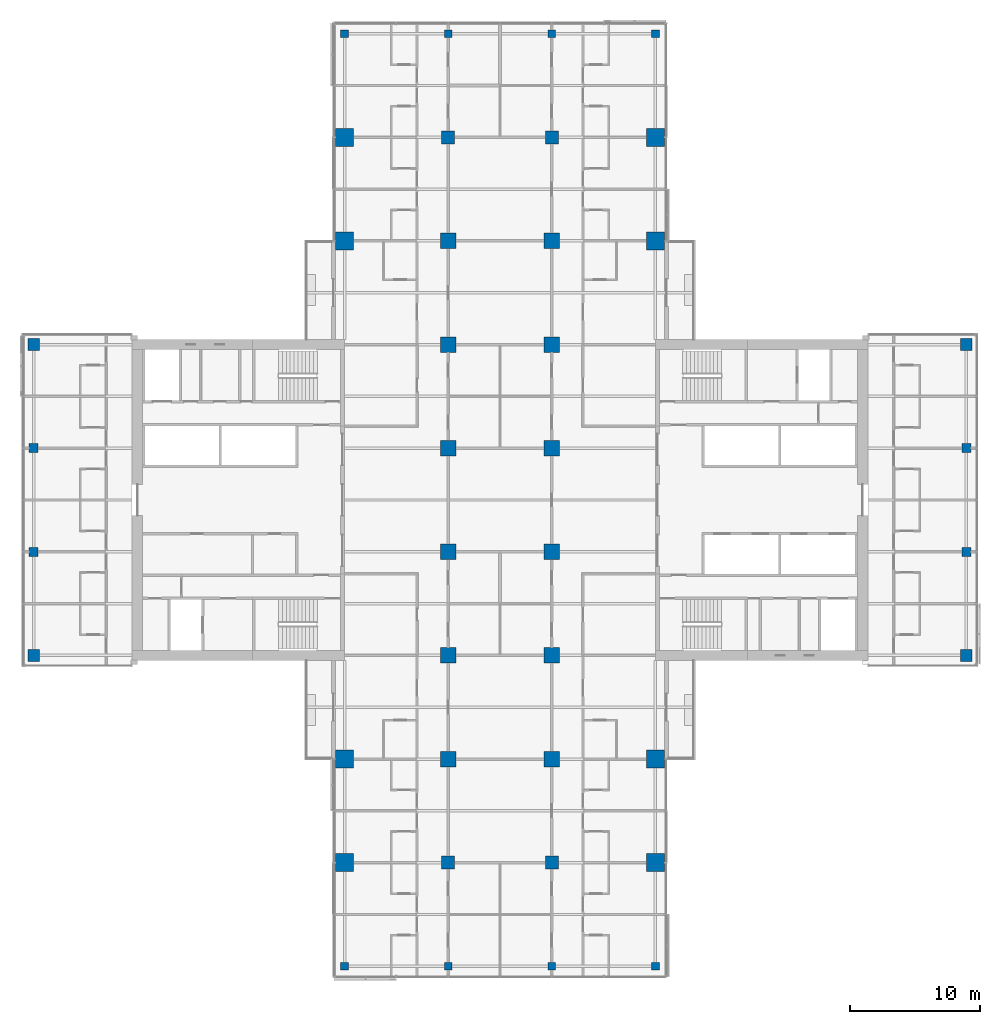
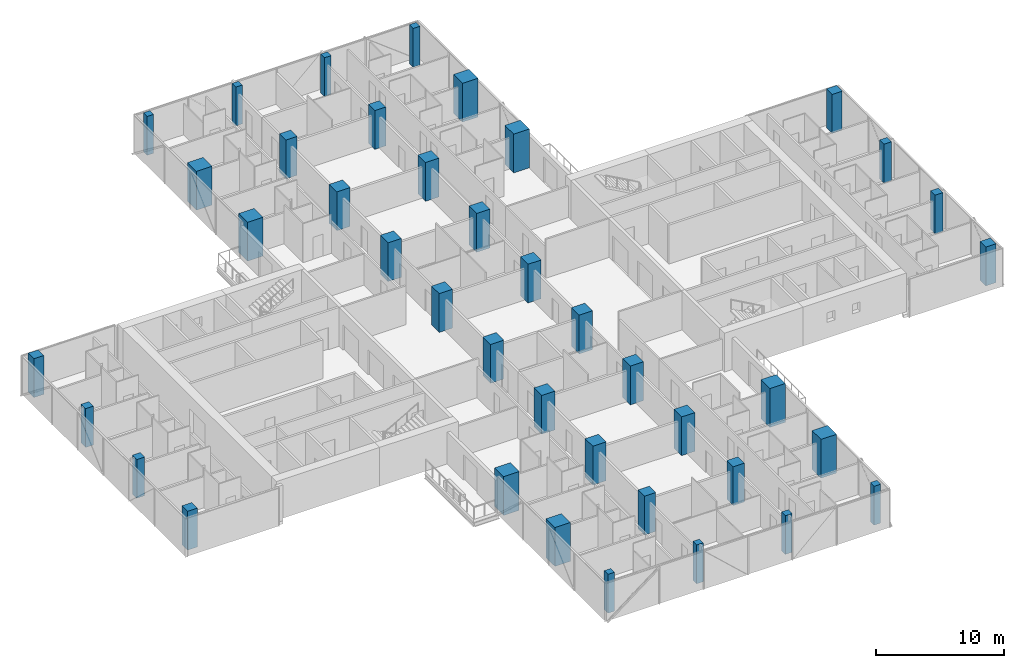
# One storey, part 1 of 29: 40 columns.
"""IFC4 building model written with IfcOpenShell, lengths in metres."""

from ifc_helpers import new_model, si_unit, direction, frame, origin, origin_2d, place, context, subcontext, project, spatial, rectangle, extrude, material, material_profile, profile_set, type_object, element, save


model = new_model("IFC4")

# Units and contexts
model_context = context("Model", 3, precision=1e-05, world=origin(), true_north=direction((0.0, 1.0)))
body_context = subcontext(model_context, "Body", "Model", "MODEL_VIEW")
ifc_project = project(units=[si_unit("LENGTHUNIT", "METRE"), si_unit("AREAUNIT", "SQUARE_METRE"), si_unit("VOLUMEUNIT", "CUBIC_METRE"), si_unit("PLANEANGLEUNIT", "RADIAN"), si_unit("MASSUNIT", "GRAM", prefix="KILO")], contexts=[model_context])

# Site, building, storey
site_placement = place(None, origin())
site = spatial("IfcSite", under=ifc_project, at=site_placement, CompositionType="ELEMENT")
building_placement = place(site_placement, origin())
building = spatial("IfcBuilding", under=site, at=building_placement, Name="Crosswind Convention Tower", CompositionType="ELEMENT")
storey_placement = place(building_placement, frame((0.0, 0.0, 53.5)))
storey = spatial("IfcBuildingStorey", under=building, at=storey_placement, Name="L07", CompositionType="ELEMENT", Elevation=53.5)

# Columns
ifc_material_1 = material(Name="Concrete C70/85", Category="concrete")
ifc_material_profile_1 = material_profile(ifc_material_1, rectangle(XDim=1.0, YDim=1.0, at=origin_2d()), Name="RC 1000X1000")
ifc_profile_set_1 = profile_set([ifc_material_profile_1], Name="Concrete C70/85")
column_type_1 = type_object("IfcColumnType", Name="Column RC 1000X1000", PredefinedType="COLUMN", material=ifc_profile_set_1)
for number, where, z_axis, x_axis, name in (
    (1, (121.0, 72.0, 0.0), (0.0, 0.0, 1.0), (1.0, 0.0, 0.0), "C12 L07 6/C"),
    (2, (121.0, 128.0, 0.0), (0.0, 0.0, 1.0), (1.0, 0.0, 0.0), "C12 L07 6/J"),
    (3, (129.0, 72.0, 0.0), (0.0, 0.0, 1.0), (1.0, 0.0, 0.0), "C12 L07 7/C"),
    (4, (129.0, 128.0, 0.0), (0.0, 0.0, 1.0), (1.0, 0.0, 0.0), "C12 L07 7/J"),
):
    element("IfcColumn", number, at=place(storey_placement, frame(where, z_axis=z_axis, x_axis=x_axis)), inside=storey, type_object=column_type_1, Name=name, PredefinedType="COLUMN", context=body_context, shape_type="SweptSolid", body=[
        extrude(rectangle(XDim=1.0, YDim=1.0, at=origin_2d()), origin(), (0.0, 0.0, 1.0), 3.699951171875),
    ])
ifc_material_profile_2 = material_profile(ifc_material_1, rectangle(XDim=1.199951171875, YDim=1.199951171875, at=origin_2d()), Name="RC 1200X1200")
ifc_profile_set_2 = profile_set([ifc_material_profile_2], Name="Concrete C70/85")
column_type_2 = type_object("IfcColumnType", Name="Column RC 1200X1200", PredefinedType="COLUMN", material=ifc_profile_set_2)
for number, where, z_axis, x_axis, name in (
    (5, (121.0, 80.0, 0.0), (0.0, 0.0, 1.0), (1.0, 0.0, 0.0), "C11 L07 6/D"),
    (6, (121.0, 88.0, 0.0), (0.0, 0.0, 1.0), (1.0, 0.0, 0.0), "C11 L07 6/E"),
    (7, (121.0, 96.0, 0.0), (0.0, 0.0, 1.0), (1.0, 0.0, 0.0), "C11 L07 6/F"),
    (8, (121.0, 104.0, 0.0), (0.0, 0.0, 1.0), (1.0, 0.0, 0.0), "C11 L07 6/G"),
    (9, (121.0, 112.0, 0.0), (0.0, 0.0, 1.0), (1.0, 0.0, 0.0), "C11 L07 6/H"),
    (10, (121.0, 120.0, 0.0), (0.0, 0.0, 1.0), (1.0, 0.0, 0.0), "C11 L07 6/I"),
    (11, (129.0, 80.0, 0.0), (0.0, 0.0, 1.0), (1.0, 0.0, 0.0), "C11 L07 7/D"),
    (12, (129.0, 88.0, 0.0), (0.0, 0.0, 1.0), (1.0, 0.0, 0.0), "C11 L07 7/E"),
    (13, (129.0, 96.0, 0.0), (0.0, 0.0, 1.0), (1.0, 0.0, 0.0), "C11 L07 7/F"),
    (14, (129.0, 104.0, 0.0), (0.0, 0.0, 1.0), (1.0, 0.0, 0.0), "C11 L07 7/G"),
    (15, (129.0, 112.0, 0.0), (0.0, 0.0, 1.0), (1.0, 0.0, 0.0), "C11 L07 7/H"),
    (16, (129.0, 120.0, 0.0), (0.0, 0.0, 1.0), (1.0, 0.0, 0.0), "C11 L07 7/I"),
):
    element("IfcColumn", number, at=place(storey_placement, frame(where, z_axis=z_axis, x_axis=x_axis)), inside=storey, type_object=column_type_2, Name=name, PredefinedType="COLUMN", context=body_context, shape_type="SweptSolid", body=[
        extrude(rectangle(XDim=1.199951171875, YDim=1.199951171875, at=origin_2d()), origin(), (0.0, 0.0, 1.0), 3.699951171875),
    ])
ifc_material_2 = material(Name="Concrete C80/95", Category="concrete")
ifc_material_profile_3 = material_profile(ifc_material_2, rectangle(XDim=1.39990234375, YDim=1.39990234375, at=origin_2d()), Name="RC 1400X1400")
ifc_profile_set_3 = profile_set([ifc_material_profile_3], Name="Concrete C80/95")
column_type_3 = type_object("IfcColumnType", Name="Column RC 1400X1400", PredefinedType="COLUMN", material=ifc_profile_set_3)
for number, where, z_axis, x_axis, name in (
    (17, (113.0, 72.0, 0.0), (0.0, 0.0, 1.0), (1.0, 0.0, 0.0), "C10 L07 5/C"),
    (18, (113.0, 80.0, 0.0), (0.0, 0.0, 1.0), (1.0, 0.0, 0.0), "C10 L07 5/D"),
    (19, (113.0, 120.0, 0.0), (0.0, 0.0, 1.0), (1.0, 0.0, 0.0), "C10 L07 5/I"),
    (20, (113.0, 128.0, 0.0), (0.0, 0.0, 1.0), (1.0, 0.0, 0.0), "C10 L07 5/J"),
    (21, (137.0, 72.0, 0.0), (0.0, 0.0, 1.0), (1.0, 0.0, 0.0), "C10 L07 8/C"),
    (22, (137.0, 80.0, 0.0), (0.0, 0.0, 1.0), (1.0, 0.0, 0.0), "C10 L07 8/D"),
    (23, (137.0, 120.0, 0.0), (0.0, 0.0, 1.0), (1.0, 0.0, 0.0), "C10 L07 8/I"),
    (24, (137.0, 128.0, 0.0), (0.0, 0.0, 1.0), (1.0, 0.0, 0.0), "C10 L07 8/J"),
):
    element("IfcColumn", number, at=place(storey_placement, frame(where, z_axis=z_axis, x_axis=x_axis)), inside=storey, type_object=column_type_3, Name=name, PredefinedType="COLUMN", context=body_context, shape_type="SweptSolid", body=[
        extrude(rectangle(XDim=1.39990234375, YDim=1.39990234375, at=origin_2d()), origin(), (0.0, 0.0, 1.0), 3.699951171875),
    ])
ifc_material_3 = material(Name="Concrete C60/75", Category="concrete")
ifc_material_profile_4 = material_profile(ifc_material_3, rectangle(XDim=0.60009765625, YDim=0.60009765625, at=origin_2d()), Name="RC 600X600")
ifc_profile_set_4 = profile_set([ifc_material_profile_4], Name="Concrete C60/75")
column_type_4 = type_object("IfcColumnType", Name="Column RC 600X600", PredefinedType="COLUMN", material=ifc_profile_set_4)
for number, where, z_axis, x_axis, name in (
    (25, (113.0, 64.0, 0.0), (0.0, 0.0, 1.0), (1.0, 0.0, 0.0), "C16 L07 5/B"),
    (26, (113.0, 136.0, 0.0), (0.0, 0.0, 1.0), (1.0, 0.0, 0.0), "C16 L07 5/K"),
    (27, (121.0, 64.0, 0.0), (0.0, 0.0, 1.0), (1.0, 0.0, 0.0), "C16 L07 6/B"),
    (28, (121.0, 136.0, 0.0), (0.0, 0.0, 1.0), (1.0, 0.0, 0.0), "C16 L07 6/K"),
    (29, (129.0, 64.0, 0.0), (0.0, 0.0, 1.0), (1.0, 0.0, 0.0), "C16 L07 7/B"),
    (30, (129.0, 136.0, 0.0), (0.0, 0.0, 1.0), (1.0, 0.0, 0.0), "C16 L07 7/K"),
    (31, (137.0, 64.0, 0.0), (0.0, 0.0, 1.0), (1.0, 0.0, 0.0), "C16 L07 8/B"),
    (32, (137.0, 136.0, 0.0), (0.0, 0.0, 1.0), (1.0, 0.0, 0.0), "C16 L07 8/K"),
):
    element("IfcColumn", number, at=place(storey_placement, frame(where, z_axis=z_axis, x_axis=x_axis)), inside=storey, type_object=column_type_4, Name=name, PredefinedType="COLUMN", context=body_context, shape_type="SweptSolid", body=[
        extrude(rectangle(XDim=0.60009765625, YDim=0.60009765625, at=origin_2d()), origin(), (0.0, 0.0, 1.0), 3.699951171875),
    ])
ifc_material_profile_5 = material_profile(ifc_material_3, rectangle(XDim=0.699951171875, YDim=0.699951171875, at=origin_2d()), Name="RC 700X700")
ifc_profile_set_5 = profile_set([ifc_material_profile_5], Name="Concrete C60/75")
column_type_5 = type_object("IfcColumnType", Name="Column RC 700X700", PredefinedType="COLUMN", material=ifc_profile_set_5)
for number, where, z_axis, x_axis, name in (
    (33, (89.0, 96.0, 0.0), (0.0, 0.0, 1.0), (1.0, 0.0, 0.0), "C15 L07 2/F"),
    (34, (89.0, 104.0, 0.0), (0.0, 0.0, 1.0), (1.0, 0.0, 0.0), "C15 L07 2/G"),
    (35, (161.0, 96.0, 0.0), (0.0, 0.0, 1.0), (1.0, 0.0, 0.0), "C15 L07 11/F"),
    (36, (161.0, 104.0, 0.0), (0.0, 0.0, 1.0), (1.0, 0.0, 0.0), "C15 L07 11/G"),
):
    element("IfcColumn", number, at=place(storey_placement, frame(where, z_axis=z_axis, x_axis=x_axis)), inside=storey, type_object=column_type_5, Name=name, PredefinedType="COLUMN", context=body_context, shape_type="SweptSolid", body=[
        extrude(rectangle(XDim=0.699951171875, YDim=0.699951171875, at=origin_2d()), origin(), (0.0, 0.0, 1.0), 3.699951171875),
    ])
ifc_material_profile_6 = material_profile(ifc_material_3, rectangle(XDim=0.89990234375, YDim=0.89990234375, at=origin_2d()), Name="RC 900X900")
ifc_profile_set_6 = profile_set([ifc_material_profile_6], Name="Concrete C60/75")
column_type_6 = type_object("IfcColumnType", Name="Column RC 900X900", PredefinedType="COLUMN", material=ifc_profile_set_6)
for number, where, z_axis, x_axis, name in (
    (37, (89.0, 88.0, 0.0), (0.0, 0.0, 1.0), (1.0, 0.0, 0.0), "C13 L07 2/E"),
    (38, (89.0, 112.0, 0.0), (0.0, 0.0, 1.0), (1.0, 0.0, 0.0), "C13 L07 2/H"),
    (39, (161.0, 88.0, 0.0), (0.0, 0.0, 1.0), (1.0, 0.0, 0.0), "C13 L07 11/E"),
    (40, (161.0, 112.0, 0.0), (0.0, 0.0, 1.0), (1.0, 0.0, 0.0), "C13 L07 11/H"),
):
    element("IfcColumn", number, at=place(storey_placement, frame(where, z_axis=z_axis, x_axis=x_axis)), inside=storey, type_object=column_type_6, Name=name, PredefinedType="COLUMN", context=body_context, shape_type="SweptSolid", body=[
        extrude(rectangle(XDim=0.89990234375, YDim=0.89990234375, at=origin_2d()), origin(), (0.0, 0.0, 1.0), 3.699951171875),
    ])

save(model, "model.ifc")
